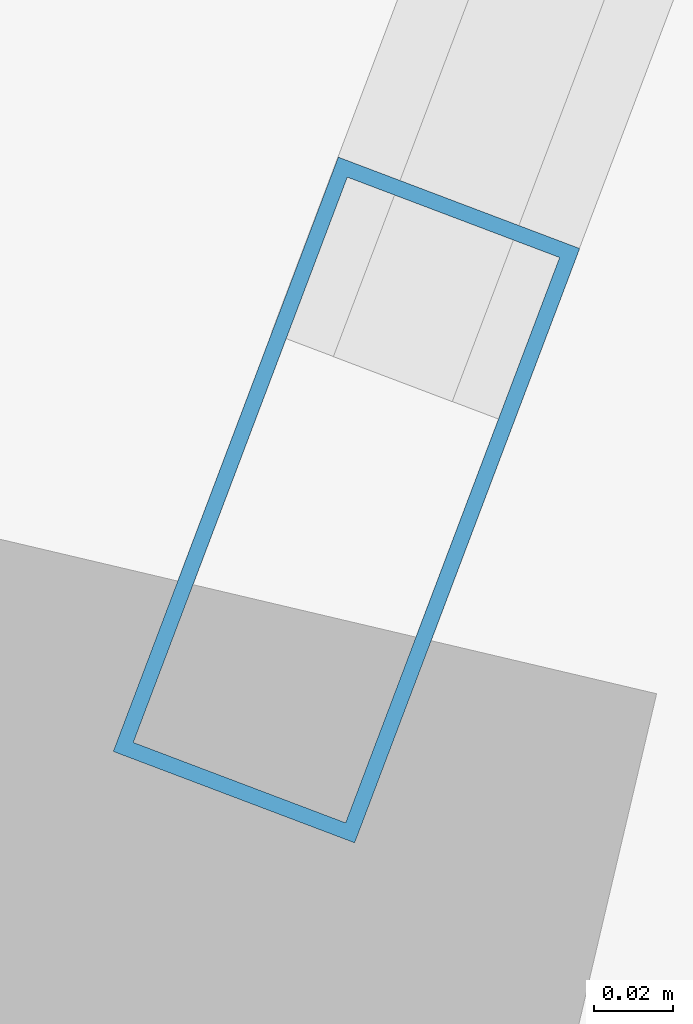
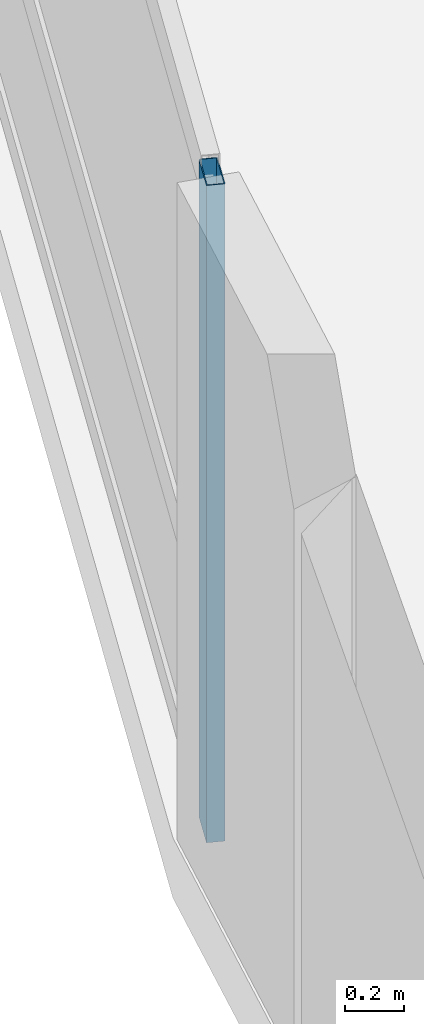
# One storey, part 2 of 25: 1 member, 1 element without a shape of its own.
"""IFC4 building model written with IfcOpenShell, lengths in metres."""

from ifc_helpers import new_model, si_unit, direction, frame, origin, origin_2d, place, context, subcontext, project, spatial, hollow_rectangle, extrude, material, layer, layer_set, material_profile, profile_set, type_object, element, aggregate, save


model = new_model("IFC4")

# Units and contexts
model_context = context("Model", 3, precision=1e-05, world=origin(), true_north=direction((0.0, 1.0)))
body_context = subcontext(model_context, "Body", "Model", "MODEL_VIEW")
ifc_project = project(units=[si_unit("LENGTHUNIT", "METRE"), si_unit("AREAUNIT", "SQUARE_METRE"), si_unit("VOLUMEUNIT", "CUBIC_METRE"), si_unit("PLANEANGLEUNIT", "RADIAN"), si_unit("MASSUNIT", "GRAM", prefix="KILO")], contexts=[model_context])

# Site, building, storey
site_placement = place(None, origin())
site = spatial("IfcSite", under=ifc_project, at=site_placement, CompositionType="ELEMENT")
building_placement = place(site_placement, origin())
building = spatial("IfcBuilding", under=site, at=building_placement, Name="Varnelok Gate Tower", CompositionType="ELEMENT")
storey_placement = place(building_placement, frame((0.0, 0.0, 83.60009765625)))
storey = spatial("IfcBuildingStorey", under=building, at=storey_placement, Name="L20", CompositionType="ELEMENT", Elevation=83.60009765625)

# Curtain wall, member
ifc_material = material(Name="Anodized Aluminum Alloy 6063-T6", Category="aluminium")
ifc_layer = layer(ifc_material, 0.179931640625)
ifc_layer_set = layer_set([ifc_layer], Name="Anodized Aluminum Alloy 6063-T6")
curtain_wall_type = type_object("IfcCurtainWallType", Name="CW3-HOTEL-VISION", PredefinedType="USERDEFINED", material=ifc_layer_set)
curtain_wall_placement = place(storey_placement, origin())
curtain_wall = element("IfcCurtainWall", 1, at=curtain_wall_placement, inside=storey, type_object=curtain_wall_type, Name="L20 West End Vision Curtain Wall", ObjectType="UNITISED CURTAIN WALL", PredefinedType="USERDEFINED")
ifc_material_profile = material_profile(ifc_material, hollow_rectangle(XDim=0.06494140625, YDim=0.159912109375, WallThickness=0.00390625, at=origin_2d()), Name="ALU160X65X4")
ifc_profile_set = profile_set([ifc_material_profile], Name="Anodized Aluminum Alloy 6063-T6")
member_type = type_object("IfcMemberType", Name="CW-MULL-160", PredefinedType="MULLION", material=ifc_profile_set)
member_placement = place(storey_placement, frame((-2.04345703125, 21.59521484375, 0.0), z_axis=(0.0, 0.0, 1.0), x_axis=(-0.935221323688, 0.354063660545, 0.0)))
member = element("IfcMember", 2, at=member_placement, type_object=member_type, Name="CW3 mullion 1", PredefinedType="MULLION", context=body_context, shape_type="SweptSolid", body=[
    extrude(hollow_rectangle(XDim=0.06494140625, YDim=0.159912109375, WallThickness=0.00390625, at=origin_2d()), origin(), (0.0, 0.0, 1.0), 2.72998046875),
])
aggregate(curtain_wall, [member])

save(model, "model.ifc")
